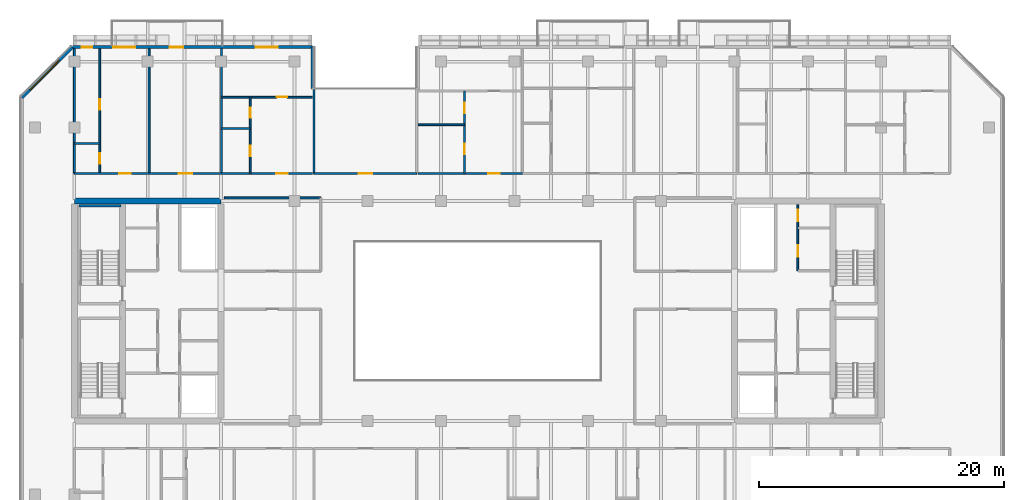
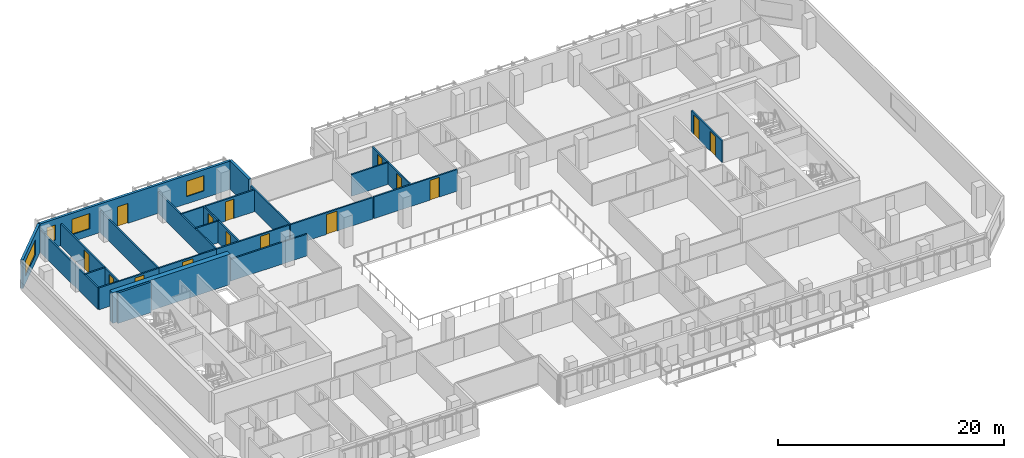
# One storey, part 12 of 20: 23 walls, 15 doors, 4 windows, 19 openings.
"""IFC4 building model written with IfcOpenShell, lengths in metres."""

import ifcopenshell
import ifcopenshell.guid

model = None  # the IFC model being written
_history = None  # IfcOwnerHistory: only IFC2X3 demands one
_inside = {}  # id of a spatial element -> (the spatial element, [elements in it])
_under = {}  # id of a project, library or spatial element -> (it, [spatial elements below it])
_declared = {}  # id of a project -> (the project, [libraries it declares])
_typed = {}  # id of a type object -> (the type object, [elements of that type])
_made_of = {}  # id of a material, layer set ... -> (it, [elements and type objects made of it])


def new_model(schema):
    """Start an empty IFC model of exactly this schema.

    Asked for "IFC4X3", IfcOpenShell would pick the latest addendum, in which some entities
    have other attributes; the version numbers below select the first issue.
    IFC2X3 requires an IfcOwnerHistory on every rooted entity: one is made here for all.
    """
    global model, _history
    if schema == "IFC4X3":
        model = ifcopenshell.file(schema_version=(4, 3, 0, 0))
    else:
        model = ifcopenshell.file(schema=schema)
    _inside.clear()
    _under.clear()
    _declared.clear()
    _typed.clear()
    _made_of.clear()
    _history = None
    if model.schema == "IFC2X3":
        org = make("IfcOrganization", Name="unknown")
        user = make(
            "IfcPersonAndOrganization",
            ThePerson=make("IfcPerson", FamilyName="unknown"),
            TheOrganization=org,
        )
        app = make(
            "IfcApplication",
            ApplicationDeveloper=org,
            Version="unknown",
            ApplicationFullName="unknown",
            ApplicationIdentifier="unknown",
        )
        _history = make(
            "IfcOwnerHistory",
            OwningUser=user,
            OwningApplication=app,
            ChangeAction="ADDED",
            CreationDate=0,
        )
    return model


def make(cls, **values):
    """One entity of the class cls with the attributes given. An attribute that is None is left unset."""
    return model.create_entity(
        cls, **{name: value for name, value in values.items() if value is not None}
    )


def rooted(cls, **values):
    """An entity with a GlobalId (a new one), such as an element, a storey or a relation."""
    return make(cls, GlobalId=ifcopenshell.guid.new(), OwnerHistory=_history, **values)


def si_unit(unit_type, name, prefix=None):
    """IfcSIUnit, for example si_unit("LENGTHUNIT", "METRE", prefix="MILLI")."""
    return make("IfcSIUnit", UnitType=unit_type, Prefix=prefix, Name=name)


def assignment(units):
    """IfcUnitAssignment: the units of a project."""
    return None if units is None else make("IfcUnitAssignment", Units=units)


def point(xyz):
    """IfcCartesianPoint."""
    return None if xyz is None else make("IfcCartesianPoint", Coordinates=xyz)


def direction(xyz):
    """IfcDirection."""
    return None if xyz is None else make("IfcDirection", DirectionRatios=xyz)


def frame(location, z_axis=None, x_axis=None):
    """IfcAxis2Placement3D, a coordinate frame: its origin and axes. An axis left out is left unset."""
    return make(
        "IfcAxis2Placement3D",
        Location=point(location),
        Axis=direction(z_axis),
        RefDirection=direction(x_axis),
    )


def frame_2d(location, x_axis=None):
    """IfcAxis2Placement2D, a coordinate frame in the plane: its origin and x axis."""
    return make(
        "IfcAxis2Placement2D", Location=point(location), RefDirection=direction(x_axis)
    )


def origin():
    """The frame at (0, 0, 0) with its axes left unset."""
    return frame((0.0, 0.0, 0.0))


def place(relative_to, where):
    """IfcLocalPlacement: puts the frame where relative to a parent placement (None: the world)."""
    return make(
        "IfcLocalPlacement", PlacementRelTo=relative_to, RelativePlacement=where
    )


def context(
    kind, dimensions, precision=None, world=None, true_north=None, identifier=None
):
    """IfcGeometricRepresentationContext, for example the 3D "Model" context."""
    return make(
        "IfcGeometricRepresentationContext",
        ContextIdentifier=identifier,
        ContextType=kind,
        CoordinateSpaceDimension=dimensions,
        Precision=precision,
        WorldCoordinateSystem=world,
        TrueNorth=true_north,
    )


def subcontext(parent, identifier, kind, view, scale=None):
    """IfcGeometricRepresentationSubContext, for example "Body" below "Model"."""
    return make(
        "IfcGeometricRepresentationSubContext",
        ContextIdentifier=identifier,
        ContextType=kind,
        ParentContext=parent,
        TargetScale=scale,
        TargetView=view,
    )


def project(units=None, contexts=None):
    """IfcProject with its units and contexts."""
    return rooted(
        "IfcProject",
        Name="project",
        RepresentationContexts=contexts,
        UnitsInContext=assignment(units),
    )


def spatial(cls, under=None, at=None, **own):
    """A site, building, storey or space (cls), placed at a placement, below another one or the project."""
    s = rooted(cls, ObjectPlacement=at, **own)
    if under is not None:
        _under.setdefault(under.id(), (under, []))[1].append(s)
    return s


def profile(cls, at=None, kind="AREA", **sizes):
    """A parametric profile (cls). Its sizes go by their IFC names, for example OverallWidth=200.0."""
    return make(cls, ProfileType=kind, Position=at, **sizes)


def rectangle(**sizes):
    """IfcRectangleProfileDef."""
    return profile("IfcRectangleProfileDef", **sizes)


def extrude(swept, where, along, depth):
    """IfcExtrudedAreaSolid: the profile swept, set in the frame where, extruded along a direction by depth."""
    return make(
        "IfcExtrudedAreaSolid",
        SweptArea=swept,
        Position=where,
        ExtrudedDirection=direction(along),
        Depth=depth,
    )


def shape(context_of_items, identifier, shape_type, items):
    """IfcShapeRepresentation: the items that make up one representation, for example the "Body"."""
    return make(
        "IfcShapeRepresentation",
        ContextOfItems=context_of_items,
        RepresentationIdentifier=identifier,
        RepresentationType=shape_type,
        Items=items,
    )


def material(Name=None, Category=None):
    """IfcMaterial."""
    return make("IfcMaterial", Name=Name, Category=Category)


def layer(
    of_material, thickness, ventilated=None, Name=None, Category=None, Priority=None
):
    """IfcMaterialLayer: one layer of a wall or slab, of a material (None: an air gap)."""
    return make(
        "IfcMaterialLayer",
        Material=of_material,
        LayerThickness=thickness,
        IsVentilated=ventilated,
        Name=Name,
        Category=Category,
        Priority=Priority,
    )


def layer_set(layers, Name=None):
    """IfcMaterialLayerSet."""
    return make("IfcMaterialLayerSet", MaterialLayers=layers, LayerSetName=Name)


def made_of(thing, what):
    """Note that an element or type object is made of a material, layer set ...; save() writes the relation."""
    if what is not None:
        _made_of.setdefault(what.id(), (what, []))[1].append(thing)
    return thing


def type_object(cls, material=None, **own):
    """A type object (cls), such as IfcWallType, which elements share."""
    return made_of(rooted(cls, **own), material)


def element(
    cls,
    number,
    at=None,
    inside=None,
    cuts=None,
    type_object=None,
    material=None,
    context=None,
    identifier="Body",
    shape_type=None,
    held_by="IfcProductDefinitionShape",
    body=None,
    shapes=None,
    **own,
):
    """One element of the class cls, such as IfcWall. Its Tag is "e" and its number.

    at: its placement. inside: the storey or other place that contains it. cuts: it is an
    opening in that element (IfcRelVoidsElement). A single representation is given by context,
    identifier, shape_type and body (its items); several are given by shapes. held_by: the class
    of the entity that holds the representations. save() writes the other relations.
    """
    e = rooted(cls, Tag="e%d" % number, ObjectPlacement=at, **own)
    if body is not None:
        shapes = [shape(context, identifier, shape_type, body)]
    if shapes is not None:
        e.Representation = make(held_by, Representations=shapes)
    if inside is not None:
        _inside.setdefault(inside.id(), (inside, []))[1].append(e)
    if cuts is not None:
        rooted(
            "IfcRelVoidsElement", RelatingBuildingElement=cuts, RelatedOpeningElement=e
        )
    if type_object is not None:
        _typed.setdefault(type_object.id(), (type_object, []))[1].append(e)
    return made_of(e, material)


def fill(opening, filler):
    """IfcRelFillsElement: the door or window that sits in an opening."""
    return rooted(
        "IfcRelFillsElement",
        RelatingOpeningElement=opening,
        RelatedBuildingElement=filler,
    )


def aggregate(whole, parts):
    """IfcRelAggregates: a whole, such as a stair, and the parts it consists of."""
    return rooted("IfcRelAggregates", RelatingObject=whole, RelatedObjects=parts)


def save(model, path):
    """Write the relations noted so far, then the file.

    IfcRelAggregates (storeys below a building ...), IfcRelContainedInSpatialStructure (elements
    in a storey), IfcRelDefinesByType, IfcRelAssociatesMaterial and IfcRelDeclares: one each for
    every whole, place, type object, material and project.
    """
    for whole, parts in _under.values():
        aggregate(whole, parts)
    for where, things in _inside.values():
        rooted(
            "IfcRelContainedInSpatialStructure",
            RelatedElements=things,
            RelatingStructure=where,
        )
    for kind, things in _typed.values():
        rooted("IfcRelDefinesByType", RelatedObjects=things, RelatingType=kind)
    for what, things in _made_of.values():
        rooted("IfcRelAssociatesMaterial", RelatedObjects=things, RelatingMaterial=what)
    for by, libraries in _declared.values():
        rooted("IfcRelDeclares", RelatingContext=by, RelatedDefinitions=libraries)
    model.write(path)


model = new_model("IFC4")

# Units and contexts
model_context = context("Model", 3, precision=1e-05, world=origin(), true_north=direction((0.0, 1.0)))
body_context = subcontext(model_context, "Body", "Model", "MODEL_VIEW")
ifc_project = project(units=[si_unit("LENGTHUNIT", "METRE"), si_unit("AREAUNIT", "SQUARE_METRE"), si_unit("VOLUMEUNIT", "CUBIC_METRE"), si_unit("PLANEANGLEUNIT", "RADIAN"), si_unit("MASSUNIT", "GRAM", prefix="KILO")], contexts=[model_context])

# Site, building, storey
site_placement = place(None, origin())
site = spatial("IfcSite", under=ifc_project, at=site_placement, CompositionType="ELEMENT")
building_placement = place(site_placement, origin())
building = spatial("IfcBuilding", under=site, at=building_placement, Name="Tanjung Sevakor Pilgrim Tower", CompositionType="ELEMENT")
storey_placement = place(building_placement, frame((0.0, 0.0, 141.89990234375)))
storey = spatial("IfcBuildingStorey", under=building, at=storey_placement, Name="L39", CompositionType="ELEMENT", Elevation=141.89990234375)

# Wall
ifc_material_1 = material(Name="Concrete C60/75", Category="concrete")
ifc_layer_1 = layer(ifc_material_1, 0.5)
ifc_layer_set_1 = layer_set([ifc_layer_1], Name="WALL-CW-500")
wall_type_1 = type_object("IfcWallType", Name="WALL-CW-500", PredefinedType="SHEAR", material=ifc_layer_set_1)
wall_1_placement = place(storey_placement, frame((36.0, 42.60009765625, 0.0), z_axis=(0.0, 0.0, 1.0), x_axis=(-1.0, 0.0, 0.0)))
element("IfcWall", 1, at=wall_1_placement, inside=storey, type_object=wall_type_1, Name="L39 W Core North Shear Wall", PredefinedType="SHEAR", context=body_context, shape_type="SweptSolid", body=[
    extrude(rectangle(XDim=12.0, YDim=0.5, at=frame_2d((6.0, 0.0))), origin(), (0.0, 0.0, 1.0), 3.300048828125),
])

# Wall, openings, doors
ifc_material_2 = material(Name="Concrete C40/50", Category="concrete")
ifc_layer_2 = layer(ifc_material_2, 0.14990234375)
ifc_layer_set_2 = layer_set([ifc_layer_2], Name="WT-COMP-150")
wall_type_2 = type_object("IfcWallType", Name="WT-COMP-150", PredefinedType="SOLIDWALL", material=ifc_layer_set_2)
wall_2_placement = place(storey_placement, frame((83.179931640625, 36.8798828125, 0.0), z_axis=(0.0, 0.0, 1.0), x_axis=(0.0, 1.0, 0.0)))
wall_2 = element("IfcWall", 2, at=wall_2_placement, inside=storey, type_object=wall_type_2, Name="L39 Partition IW-L39-024", PredefinedType="SOLIDWALL", context=body_context, shape_type="SweptSolid", body=[
    extrude(rectangle(XDim=5.420166015625, YDim=0.14990234375, at=frame_2d((2.7099609375, 0.0))), origin(), (0.0, 0.0, 1.0), 2.35009765625),
])
opening_1_placement = place(wall_2_placement, frame((1.14990234375, 0.0, 0.0)))
opening_1 = element("IfcOpeningElement", 3, at=opening_1_placement, cuts=wall_2, Name="Opening ID-FD2", PredefinedType="OPENING", context=body_context, shape_type="SweptSolid", body=[
    extrude(rectangle(XDim=0.949951171875, YDim=2.14990234375, at=frame_2d((0.47509765625, 1.074951171875))), frame((0.0, 0.0849609375, 0.0), z_axis=(0.0, -1.0, 0.0), x_axis=(1.0, 0.0, 0.0)), (0.0, 0.0, 1.0), 0.169921875),
])
opening_2_placement = place(wall_2_placement, frame((4.050048828125, 0.0, 0.0)))
opening_2 = element("IfcOpeningElement", 4, at=opening_2_placement, cuts=wall_2, Name="Opening ID-FD2", PredefinedType="OPENING", context=body_context, shape_type="SweptSolid", body=[
    extrude(rectangle(XDim=0.949951171875, YDim=2.14990234375, at=frame_2d((0.47509765625, 1.074951171875))), frame((0.0, 0.0849609375, 0.0), z_axis=(0.0, -1.0, 0.0), x_axis=(1.0, 0.0, 0.0)), (0.0, 0.0, 1.0), 0.169921875),
])
ifc_material_3 = material(Name="Fire-Rated Timber", Category="wood")
door_type_1 = type_object("IfcDoorType", Name="DT-FIRE-950", OperationType="NOTDEFINED", PredefinedType="DOOR", material=ifc_material_3)
door_1_placement = place(opening_1_placement, origin())
door_1 = element("IfcDoor", 5, at=door_1_placement, inside=storey, type_object=door_type_1, Name="L39 Core Study Room Door", OperationType="SINGLE_SWING_RIGHT", OverallHeight=2.14990234375, OverallWidth=0.949951171875, PredefinedType="DOOR", context=body_context, shape_type="SweptSolid", body=[
    extrude(rectangle(XDim=0.949951171875, YDim=2.14990234375, at=frame_2d((0.47509765625, 1.074951171875))), frame((0.0, 0.02490234375, 0.0), z_axis=(0.0, -1.0, 0.0), x_axis=(1.0, 0.0, 0.0)), (0.0, 0.0, 1.0), 0.050048828125),
])
fill(opening_1, door_1)
door_2_placement = place(opening_2_placement, origin())
door_2 = element("IfcDoor", 6, at=door_2_placement, inside=storey, type_object=door_type_1, Name="L39 Service Store Door", OperationType="SINGLE_SWING_LEFT", OverallHeight=2.14990234375, OverallWidth=0.949951171875, PredefinedType="DOOR", context=body_context, shape_type="SweptSolid", body=[
    extrude(rectangle(XDim=0.949951171875, YDim=2.14990234375, at=frame_2d((0.47509765625, 1.074951171875))), frame((0.0, 0.02490234375, 0.0), z_axis=(0.0, -1.0, 0.0), x_axis=(1.0, 0.0, 0.0)), (0.0, 0.0, 1.0), 0.050048828125),
])
fill(opening_2, door_2)

# Wall
wall_3_placement = place(storey_placement, frame((36.27001953125, 42.85009765625, 0.0), z_axis=(0.0, 0.0, 1.0), x_axis=(1.0, 0.0, 0.0)))
element("IfcWall", 7, at=wall_3_placement, inside=storey, type_object=wall_type_2, Name="L39 Partition IW-L39-031", PredefinedType="SOLIDWALL", context=body_context, shape_type="SweptSolid", body=[
    extrude(rectangle(XDim=7.8798828125, YDim=0.14990234375, at=frame_2d((3.93994140625, 0.0))), origin(), (0.0, 0.0, 1.0), 2.35009765625),
])

# Wall, opening, door
wall_4_placement = place(storey_placement, frame((43.60009765625, 44.85009765625, 0.0), z_axis=(0.0, 0.0, 1.0), x_axis=(1.0, 0.0, 0.0)))
wall_4 = element("IfcWall", 8, at=wall_4_placement, inside=storey, type_object=wall_type_2, Name="L39 Partition IW-L39-042", PredefinedType="SOLIDWALL", context=body_context, shape_type="SweptSolid", body=[
    extrude(rectangle(XDim=8.39990234375, YDim=0.14990234375, at=frame_2d((4.199951171875, 0.0))), origin(), (0.0, 0.0, 1.0), 2.35009765625),
])
opening_3_placement = place(wall_4_placement, frame((3.64990234375, 0.0, 0.0)))
opening_3 = element("IfcOpeningElement", 9, at=opening_3_placement, cuts=wall_4, Name="Opening ID-RM2", PredefinedType="OPENING", context=body_context, shape_type="SweptSolid", body=[
    extrude(rectangle(XDim=1.10009765625, YDim=2.14990234375, at=frame_2d((0.550048828125, 1.074951171875))), frame((0.0, 0.0849609375, 0.0), z_axis=(0.0, -1.0, 0.0), x_axis=(1.0, 0.0, 0.0)), (0.0, 0.0, 1.0), 0.169921875),
])
ifc_material_4 = material(Name="Hardwood Timber", Category="wood")
door_type_2 = type_object("IfcDoorType", Name="DT-INT-1100", OperationType="NOTDEFINED", PredefinedType="DOOR", material=ifc_material_4)
door_3_placement = place(opening_3_placement, origin())
door_3 = element("IfcDoor", 10, at=door_3_placement, inside=storey, type_object=door_type_2, Name="L39 North Cleft Seminar Room Door", OperationType="SINGLE_SWING_LEFT", OverallHeight=2.14990234375, OverallWidth=1.10009765625, PredefinedType="DOOR", context=body_context, shape_type="SweptSolid", body=[
    extrude(rectangle(XDim=1.10009765625, YDim=2.14990234375, at=frame_2d((0.550048828125, 1.074951171875))), frame((0.0, 0.02490234375, 0.0), z_axis=(0.0, -1.0, 0.0), x_axis=(1.0, 0.0, 0.0)), (0.0, 0.0, 1.0), 0.050048828125),
])
fill(opening_3, door_3)

# Walls
for number, where, z_axis, x_axis, name in (
    (11, (43.60009765625, 44.85009765625, 0.0), (0.0, 0.0, 1.0), (0.0, 1.0, 0.0), "L39 Partition IW-L39-043"),
    (12, (24.0, 44.85009765625, 0.0), (0.0, 0.0, 1.0), (0.0, 1.0, 0.0), "L39 Partition IW-L39-075"),
    (13, (30.119384765625, 44.85009765625, 0.0), (0.0, 0.0, 1.0), (0.0, 1.0, 0.0), "L39 Partition IW-L39-076"),
):
    element("IfcWall", number, at=place(storey_placement, frame(where, z_axis=z_axis, x_axis=x_axis)), inside=storey, type_object=wall_type_2, Name=name, PredefinedType="SOLIDWALL", context=body_context, shape_type="SweptSolid", body=[
        extrude(rectangle(XDim=10.199951171875, YDim=0.14990234375, at=frame_2d((5.10009765625, 0.0))), origin(), (0.0, 0.0, 1.0), 2.35009765625),
    ])

# Wall, opening, door
wall_5_placement = place(storey_placement, frame((24.0, 44.85009765625, 0.0), z_axis=(0.0, 0.0, 1.0), x_axis=(1.0, 0.0, 0.0)))
wall_5 = element("IfcWall", 14, at=wall_5_placement, inside=storey, type_object=wall_type_2, Name="L39 Partition IW-L39-079", PredefinedType="SOLIDWALL", context=body_context, shape_type="SweptSolid", body=[
    extrude(rectangle(XDim=6.119384765625, YDim=0.14990234375, at=frame_2d((3.0595703125, 0.0))), origin(), (0.0, 0.0, 1.0), 2.35009765625),
])
opening_4_placement = place(wall_5_placement, frame((3.6650390625, 0.0, 0.0)))
opening_4 = element("IfcOpeningElement", 15, at=opening_4_placement, cuts=wall_5, Name="Opening ID-FD2", PredefinedType="OPENING", context=body_context, shape_type="SweptSolid", body=[
    extrude(rectangle(XDim=0.949951171875, YDim=2.14990234375, at=frame_2d((0.47509765625, 1.074951171875))), frame((0.0, 0.0849609375, 0.0), z_axis=(0.0, -1.0, 0.0), x_axis=(1.0, 0.0, 0.0)), (0.0, 0.0, 1.0), 0.169921875),
])
door_4_placement = place(opening_4_placement, origin())
door_4 = element("IfcDoor", 16, at=door_4_placement, inside=storey, type_object=door_type_1, Name="Hotel Guestroom Entrance", OperationType="SINGLE_SWING_RIGHT", OverallHeight=2.14990234375, OverallWidth=0.949951171875, PredefinedType="DOOR", context=body_context, shape_type="SweptSolid", body=[
    extrude(rectangle(XDim=0.949951171875, YDim=2.14990234375, at=frame_2d((0.47509765625, 1.074951171875))), frame((0.0, 0.02490234375, 0.0), z_axis=(0.0, -1.0, 0.0), x_axis=(1.0, 0.0, 0.0)), (0.0, 0.0, 1.0), 0.050048828125),
])
fill(opening_4, door_4)

# Wall
wall_6_placement = place(storey_placement, frame((36.034912109375, 44.85009765625, 0.0), z_axis=(0.0, 0.0, 1.0), x_axis=(0.0, 1.0, 0.0)))
element("IfcWall", 17, at=wall_6_placement, inside=storey, type_object=wall_type_2, Name="L39 Partition IW-L39-080", PredefinedType="SOLIDWALL", context=body_context, shape_type="SweptSolid", body=[
    extrude(rectangle(XDim=10.199951171875, YDim=0.14990234375, at=frame_2d((5.10009765625, 0.0))), origin(), (0.0, 0.0, 1.0), 2.35009765625),
])

# Wall, opening, door
wall_7_placement = place(storey_placement, frame((30.119384765625, 44.85009765625, 0.0), z_axis=(0.0, 0.0, 1.0), x_axis=(1.0, 0.0, 0.0)))
wall_7 = element("IfcWall", 18, at=wall_7_placement, inside=storey, type_object=wall_type_2, Name="L39 Partition IW-L39-081", PredefinedType="SOLIDWALL", context=body_context, shape_type="SweptSolid", body=[
    extrude(rectangle(XDim=5.91552734375, YDim=0.14990234375, at=frame_2d((2.957763671875, 0.0))), origin(), (0.0, 0.0, 1.0), 2.35009765625),
])
opening_5_placement = place(wall_7_placement, frame((2.40771484375, 0.0, 0.0)))
opening_5 = element("IfcOpeningElement", 19, at=opening_5_placement, cuts=wall_7, Name="Opening ID-FD0", PredefinedType="OPENING", context=body_context, shape_type="SweptSolid", body=[
    extrude(rectangle(XDim=1.10009765625, YDim=2.14990234375, at=frame_2d((0.550048828125, 1.074951171875))), frame((0.0, 0.0849609375, 0.0), z_axis=(0.0, -1.0, 0.0), x_axis=(1.0, 0.0, 0.0)), (0.0, 0.0, 1.0), 0.169921875),
])
ifc_material_5 = material(Name="Fire-Rated Steel S355J2", Category="steel")
door_type_3 = type_object("IfcDoorType", Name="DT-FIRE-1100", OperationType="NOTDEFINED", PredefinedType="DOOR", material=ifc_material_5)
door_5_placement = place(opening_5_placement, origin())
door_5 = element("IfcDoor", 20, at=door_5_placement, inside=storey, type_object=door_type_3, Name="Seminar Room Door", OperationType="SINGLE_SWING_LEFT", OverallHeight=2.14990234375, OverallWidth=1.10009765625, PredefinedType="DOOR", context=body_context, shape_type="SweptSolid", body=[
    extrude(rectangle(XDim=1.10009765625, YDim=2.14990234375, at=frame_2d((0.550048828125, 1.074951171875))), frame((0.0, 0.02490234375, 0.0), z_axis=(0.0, -1.0, 0.0), x_axis=(1.0, 0.0, 0.0)), (0.0, 0.0, 1.0), 0.050048828125),
])
fill(opening_5, door_5)

wall_8_placement = place(storey_placement, frame((36.034912109375, 44.85009765625, 0.0), z_axis=(0.0, 0.0, 1.0), x_axis=(1.0, 0.0, 0.0)))
wall_8 = element("IfcWall", 21, at=wall_8_placement, inside=storey, type_object=wall_type_2, Name="L39 Partition IW-L39-085", PredefinedType="SOLIDWALL", context=body_context, shape_type="SweptSolid", body=[
    extrude(rectangle(XDim=7.445068359375, YDim=0.14990234375, at=frame_2d((3.72265625, 0.0))), origin(), (0.0, 0.0, 1.0), 2.35009765625),
])
opening_6_placement = place(wall_8_placement, frame((4.462646484375, 0.0, 0.0)))
opening_6 = element("IfcOpeningElement", 22, at=opening_6_placement, cuts=wall_8, Name="Opening ID-FD2", PredefinedType="OPENING", context=body_context, shape_type="SweptSolid", body=[
    extrude(rectangle(XDim=0.949951171875, YDim=2.14990234375, at=frame_2d((0.47509765625, 1.074951171875))), frame((0.0, 0.0849609375, 0.0), z_axis=(0.0, -1.0, 0.0), x_axis=(1.0, 0.0, 0.0)), (0.0, 0.0, 1.0), 0.169921875),
])
door_6_placement = place(opening_6_placement, origin())
door_6 = element("IfcDoor", 23, at=door_6_placement, inside=storey, type_object=door_type_1, Name="Residence Entrance", OperationType="SINGLE_SWING_LEFT", OverallHeight=2.14990234375, OverallWidth=0.949951171875, PredefinedType="DOOR", context=body_context, shape_type="SweptSolid", body=[
    extrude(rectangle(XDim=0.949951171875, YDim=2.14990234375, at=frame_2d((0.47509765625, 1.074951171875))), frame((0.0, 0.02490234375, 0.0), z_axis=(0.0, -1.0, 0.0), x_axis=(1.0, 0.0, 0.0)), (0.0, 0.0, 1.0), 0.050048828125),
])
fill(opening_6, door_6)

wall_9_placement = place(storey_placement, frame((52.1201171875, 44.85009765625, 0.0), z_axis=(0.0, 0.0, 1.0), x_axis=(1.0, 0.0, 0.0)))
wall_9 = element("IfcWall", 24, at=wall_9_placement, inside=storey, type_object=wall_type_2, Name="L39 Partition IW-L39-091", PredefinedType="SOLIDWALL", context=body_context, shape_type="SweptSolid", body=[
    extrude(rectangle(XDim=8.51953125, YDim=0.14990234375, at=frame_2d((4.259765625, 0.0))), origin(), (0.0, 0.0, 1.0), 2.35009765625),
])
opening_7_placement = place(wall_9_placement, frame((5.724853515625, 0.0, 0.0)))
opening_7 = element("IfcOpeningElement", 25, at=opening_7_placement, cuts=wall_9, Name="Opening ID-FD2", PredefinedType="OPENING", context=body_context, shape_type="SweptSolid", body=[
    extrude(rectangle(XDim=0.949951171875, YDim=2.14990234375, at=frame_2d((0.47509765625, 1.074951171875))), frame((0.0, 0.0849609375, 0.0), z_axis=(0.0, -1.0, 0.0), x_axis=(1.0, 0.0, 0.0)), (0.0, 0.0, 1.0), 0.169921875),
])
door_7_placement = place(opening_7_placement, origin())
door_7 = element("IfcDoor", 26, at=door_7_placement, inside=storey, type_object=door_type_1, Name="Residence Entrance", OperationType="SINGLE_SWING_LEFT", OverallHeight=2.14990234375, OverallWidth=0.949951171875, PredefinedType="DOOR", context=body_context, shape_type="SweptSolid", body=[
    extrude(rectangle(XDim=0.949951171875, YDim=2.14990234375, at=frame_2d((0.47509765625, 1.074951171875))), frame((0.0, 0.02490234375, 0.0), z_axis=(0.0, -1.0, 0.0), x_axis=(1.0, 0.0, 0.0)), (0.0, 0.0, 1.0), 0.050048828125),
])
fill(opening_7, door_7)

# Wall
ifc_material_6 = material(Name="Precast concrete C45/55", Category="concrete")
ifc_layer_3 = layer(ifc_material_6, 0.25)
ifc_layer_set_3 = layer_set([ifc_layer_3], Name="WT-EW-STN3")
wall_type_3 = type_object("IfcWallType", Name="WT-EW-STN3", PredefinedType="SOLIDWALL", material=ifc_layer_set_3)
wall_10_placement = place(storey_placement, frame((43.47509765625, 51.77490234375, 0.0), z_axis=(0.0, 0.0, 1.0), x_axis=(0.0, 1.0, 0.0)))
element("IfcWall", 27, at=wall_10_placement, inside=storey, type_object=wall_type_3, Name="L39 MAIN Exterior Wall 12", PredefinedType="SOLIDWALL", context=body_context, shape_type="SweptSolid", body=[
    extrude(rectangle(XDim=3.400146484375, YDim=0.25, at=frame_2d((1.7001953125, 0.0))), origin(), (0.0, 0.0, 1.0), 3.080078125),
])

# Wall, openings, door, windows
wall_11_placement = place(storey_placement, frame((43.47509765625, 55.175048828125, 0.0), z_axis=(0.0, 0.0, 1.0), x_axis=(-1.0, 0.0, 0.0)))
wall_11 = element("IfcWall", 28, at=wall_11_placement, inside=storey, type_object=wall_type_3, Name="L39 MAIN Exterior Wall 13", PredefinedType="SOLIDWALL", context=body_context, shape_type="SweptSolid", body=[
    extrude(rectangle(XDim=19.623291015625, YDim=0.25, at=frame_2d((9.8115234375, 0.0))), origin(), (0.0, 0.0, 1.0), 3.080078125),
])
opening_8_placement = place(wall_11_placement, frame((10.574951171875, 0.0, 0.0)))
opening_8 = element("IfcOpeningElement", 29, at=opening_8_placement, cuts=wall_11, Name="Opening ED-BAL-1100", PredefinedType="OPENING", context=body_context, shape_type="SweptSolid", body=[
    extrude(rectangle(XDim=1.10009765625, YDim=2.14990234375, at=frame_2d((0.550048828125, 1.074951171875))), frame((0.0, 0.135009765625, 0.0), z_axis=(0.0, -1.0, 0.0), x_axis=(1.0, 0.0, 0.0)), (0.0, 0.0, 1.0), 0.27001953125),
])
opening_9_placement = place(wall_11_placement, frame((17.999755859375, 0.0, 0.780029296875)))
opening_9 = element("IfcOpeningElement", 30, at=opening_9_placement, cuts=wall_11, Name="Opening WN-SLM", PredefinedType="OPENING", context=body_context, shape_type="SweptSolid", body=[
    extrude(rectangle(XDim=0.85009765625, YDim=1.64990234375, at=frame_2d((0.425048828125, 0.824951171875))), frame((0.0, 0.135009765625, 0.0), z_axis=(0.0, -1.0, 0.0), x_axis=(1.0, 0.0, 0.0)), (0.0, 0.0, 1.0), 0.27001953125),
])
opening_10_placement = place(wall_11_placement, frame((14.485107421875, 0.0, 0.780029296875)))
opening_10 = element("IfcOpeningElement", 31, at=opening_10_placement, cuts=wall_11, Name="Opening WN-Z3-1660", PredefinedType="OPENING", context=body_context, shape_type="SweptSolid", body=[
    extrude(rectangle(XDim=1.800048828125, YDim=1.659912109375, at=frame_2d((0.89990234375, 0.830078125))), frame((0.0, 0.135009765625, 0.0), z_axis=(0.0, -1.0, 0.0), x_axis=(1.0, 0.0, 0.0)), (0.0, 0.0, 1.0), 0.27001953125),
])
opening_11_placement = place(wall_11_placement, frame((2.817626953125, 0.0, 0.780029296875)))
opening_11 = element("IfcOpeningElement", 32, at=opening_11_placement, cuts=wall_11, Name="Opening WN-Z3-1660", PredefinedType="OPENING", context=body_context, shape_type="SweptSolid", body=[
    extrude(rectangle(XDim=1.800048828125, YDim=1.659912109375, at=frame_2d((0.89990234375, 0.830078125))), frame((0.0, 0.135009765625, 0.0), z_axis=(0.0, -1.0, 0.0), x_axis=(1.0, 0.0, 0.0)), (0.0, 0.0, 1.0), 0.27001953125),
])
ifc_material_7 = material(Name="Anodised Aluminium and Laminated Glass", Category="aluminium")
door_type_4 = type_object("IfcDoorType", Name="DTYP-ED-BAL-1100", OperationType="NOTDEFINED", PredefinedType="DOOR", material=ifc_material_7)
door_8_placement = place(opening_8_placement, frame((1.10009765625, 0.0, 0.0), z_axis=(0.0, 0.0, 1.0), x_axis=(-1.0, 0.0, 0.0)))
door_8 = element("IfcDoor", 33, at=door_8_placement, inside=storey, type_object=door_type_4, Name="L39 Balcony Door MAIN-N1", OperationType="SINGLE_SWING_LEFT", OverallHeight=2.14990234375, OverallWidth=1.10009765625, PredefinedType="DOOR", context=body_context, shape_type="SweptSolid", body=[
    extrude(rectangle(XDim=1.10009765625, YDim=2.14990234375, at=frame_2d((0.550048828125, 1.074951171875))), frame((0.0, 0.02490234375, 0.0), z_axis=(0.0, -1.0, 0.0), x_axis=(1.0, 0.0, 0.0)), (0.0, 0.0, 1.0), 0.050048828125),
])
fill(opening_8, door_8)
ifc_material_8 = material(Name="Thermally Broken Aluminium and Low-E Glass", Category="aluminium")
window_type_1 = type_object("IfcWindowType", Name="WTYP-WN-SLM", PartitioningType="SINGLE_PANEL", PredefinedType="WINDOW", material=ifc_material_8)
window_1_placement = place(opening_9_placement, origin())
window_1 = element("IfcWindow", 34, at=window_1_placement, inside=storey, type_object=window_type_1, Name="L39 Facade Window 01", OverallHeight=1.64990234375, OverallWidth=0.85009765625, PartitioningType="SINGLE_PANEL", PredefinedType="WINDOW", context=body_context, shape_type="SweptSolid", body=[
    extrude(rectangle(XDim=0.85009765625, YDim=1.64990234375, at=frame_2d((0.425048828125, 0.824951171875))), frame((0.0, 0.030029296875, 0.0), z_axis=(0.0, -1.0, 0.0), x_axis=(1.0, 0.0, 0.0)), (0.0, 0.0, 1.0), 0.06005859375),
])
fill(opening_9, window_1)
ifc_material_9 = material(Name="Thermally Broken Aluminium and Low-E Glass", Category="aluminium")
window_type_2 = type_object("IfcWindowType", Name="WTYP-WN-Z3-1660", PartitioningType="DOUBLE_PANEL_VERTICAL", PredefinedType="WINDOW", material=ifc_material_9)
window_2_placement = place(opening_10_placement, origin())
window_2 = element("IfcWindow", 35, at=window_2_placement, inside=storey, type_object=window_type_2, Name="L39 Facade Window 02", OverallHeight=1.659912109375, OverallWidth=1.800048828125, PartitioningType="SINGLE_PANEL", PredefinedType="WINDOW", context=body_context, shape_type="SweptSolid", body=[
    extrude(rectangle(XDim=1.800048828125, YDim=1.659912109375, at=frame_2d((0.89990234375, 0.830078125))), frame((0.0, 0.030029296875, 0.0), z_axis=(0.0, -1.0, 0.0), x_axis=(1.0, 0.0, 0.0)), (0.0, 0.0, 1.0), 0.06005859375),
])
fill(opening_10, window_2)
window_3_placement = place(opening_11_placement, origin())
window_3 = element("IfcWindow", 36, at=window_3_placement, inside=storey, type_object=window_type_2, Name="L39 Facade Window 03", OverallHeight=1.659912109375, OverallWidth=1.800048828125, PartitioningType="SINGLE_PANEL", PredefinedType="WINDOW", context=body_context, shape_type="SweptSolid", body=[
    extrude(rectangle(XDim=1.800048828125, YDim=1.659912109375, at=frame_2d((0.89990234375, 0.830078125))), frame((0.0, 0.030029296875, 0.0), z_axis=(0.0, -1.0, 0.0), x_axis=(1.0, 0.0, 0.0)), (0.0, 0.0, 1.0), 0.06005859375),
])
fill(opening_11, window_3)

# Wall, opening, window
wall_12_placement = place(storey_placement, frame((23.851806640625, 55.175048828125, 0.0), z_axis=(0.0, 0.0, 1.0), x_axis=(-0.70708586489, -0.707127696864, 0.0)))
wall_12 = element("IfcWall", 37, at=wall_12_placement, inside=storey, type_object=wall_type_3, Name="L39 MAIN Sculpted Corner Wall 13", PredefinedType="SOLIDWALL", context=body_context, shape_type="SweptSolid", body=[
    extrude(rectangle(XDim=5.836181640625, YDim=0.25, at=frame_2d((2.91796875, 0.0))), origin(), (0.0, 0.0, 1.0), 3.080078125),
])
opening_12_placement = place(wall_12_placement, frame((1.5380859375, 0.0, 0.780029296875)))
opening_12 = element("IfcOpeningElement", 38, at=opening_12_placement, cuts=wall_12, Name="Opening WN-CHM-1660", PredefinedType="OPENING", context=body_context, shape_type="SweptSolid", body=[
    extrude(rectangle(XDim=3.39990234375, YDim=1.659912109375, at=frame_2d((1.699951171875, 0.830078125))), frame((0.0, 0.135009765625, 0.0), z_axis=(0.0, -1.0, 0.0), x_axis=(1.0, 0.0, 0.0)), (0.0, 0.0, 1.0), 0.27001953125),
])
ifc_material_10 = material(Name="Thermally Broken Aluminium and Low-E Glass", Category="aluminium")
window_type_3 = type_object("IfcWindowType", Name="WTYP-WN-CHM-1660", PartitioningType="DOUBLE_PANEL_VERTICAL", PredefinedType="WINDOW", material=ifc_material_10)
window_4_placement = place(opening_12_placement, origin())
window_4 = element("IfcWindow", 39, at=window_4_placement, inside=storey, type_object=window_type_3, Name="L39 Facade Window 01", OverallHeight=1.659912109375, OverallWidth=3.39990234375, PartitioningType="SINGLE_PANEL", PredefinedType="WINDOW", context=body_context, shape_type="SweptSolid", body=[
    extrude(rectangle(XDim=3.39990234375, YDim=1.659912109375, at=frame_2d((1.699951171875, 0.830078125))), frame((0.0, 0.030029296875, 0.0), z_axis=(0.0, -1.0, 0.0), x_axis=(1.0, 0.0, 0.0)), (0.0, 0.0, 1.0), 0.06005859375),
])
fill(opening_12, window_4)

# Walls
ifc_material_11 = material(Name="Concrete C40/50", Category="concrete")
ifc_layer_4 = layer(ifc_material_11, 0.199951171875)
ifc_layer_set_4 = layer_set([ifc_layer_4], Name="WT-FIRE-200")
wall_type_4 = type_object("IfcWallType", Name="WT-FIRE-200", PredefinedType="SOLIDWALL", material=ifc_layer_set_4)
wall_13_placement = place(storey_placement, frame((27.800048828125, 42.199951171875, 0.0), z_axis=(0.0, 0.0, 1.0), x_axis=(-1.0, 0.0, 0.0)))
element("IfcWall", 40, at=wall_13_placement, inside=storey, type_object=wall_type_4, Name="L39 TS-W2 Shaft Wall 2", PredefinedType="SOLIDWALL", context=body_context, shape_type="SweptSolid", body=[
    extrude(rectangle(XDim=3.400146484375, YDim=0.199951171875, at=frame_2d((1.7001953125, 0.0))), origin(), (0.0, 0.0, 1.0), 3.300048828125),
])
ifc_material_12 = material(Name="Gypsum Board Partition", Category="gypsum board")
ifc_layer_5 = layer(ifc_material_12, 0.14990234375)
ifc_layer_set_5 = layer_set([ifc_layer_5], Name="WT-PART-150")
wall_type_5 = type_object("IfcWallType", Name="WT-PART-150", PredefinedType="PARTITIONING", material=ifc_layer_set_5)
wall_14_placement = place(storey_placement, frame((24.0, 47.300048828125, 0.0), z_axis=(0.0, 0.0, 1.0), x_axis=(1.0, 0.0, 0.0)))
element("IfcWall", 41, at=wall_14_placement, inside=storey, type_object=wall_type_5, Name="L39 Partition IW-L39-077", PredefinedType="PARTITIONING", context=body_context, shape_type="SweptSolid", body=[
    extrude(rectangle(XDim=2.08056640625, YDim=0.14990234375, at=frame_2d((1.040283203125, 0.0))), origin(), (0.0, 0.0, 1.0), 2.35009765625),
])

# Wall, openings, doors
wall_15_placement = place(storey_placement, frame((26.08056640625, 44.85009765625, 0.0), z_axis=(0.0, 0.0, 1.0), x_axis=(0.0, 1.0, 0.0)))
wall_15 = element("IfcWall", 42, at=wall_15_placement, inside=storey, type_object=wall_type_5, Name="L39 Partition IW-L39-078", PredefinedType="PARTITIONING", context=body_context, shape_type="SweptSolid", body=[
    extrude(rectangle(XDim=10.199951171875, YDim=0.14990234375, at=frame_2d((5.10009765625, 0.0))), origin(), (0.0, 0.0, 1.0), 2.35009765625),
])
opening_13_placement = place(wall_15_placement, frame((0.800048828125, 0.0, 0.0)))
opening_13 = element("IfcOpeningElement", 43, at=opening_13_placement, cuts=wall_15, Name="Opening ID-WC1", PredefinedType="OPENING", context=body_context, shape_type="SweptSolid", body=[
    extrude(rectangle(XDim=0.85009765625, YDim=2.10009765625, at=frame_2d((0.425048828125, 1.050048828125))), frame((0.0, 0.0849609375, 0.0), z_axis=(0.0, -1.0, 0.0), x_axis=(1.0, 0.0, 0.0)), (0.0, 0.0, 1.0), 0.169921875),
])
opening_14_placement = place(wall_15_placement, frame((5.2099609375, 0.0, 0.0)))
opening_14 = element("IfcOpeningElement", 44, at=opening_14_placement, cuts=wall_15, Name="Opening ID-WC1", PredefinedType="OPENING", context=body_context, shape_type="SweptSolid", body=[
    extrude(rectangle(XDim=0.85009765625, YDim=2.10009765625, at=frame_2d((0.425048828125, 1.050048828125))), frame((0.0, 0.0849609375, 0.0), z_axis=(0.0, -1.0, 0.0), x_axis=(1.0, 0.0, 0.0)), (0.0, 0.0, 1.0), 0.169921875),
])
ifc_material_13 = material(Name="Moisture-Resistant Timber", Category="wood")
door_type_5 = type_object("IfcDoorType", Name="DT-INT-850", OperationType="NOTDEFINED", PredefinedType="DOOR", material=ifc_material_13)
door_9_placement = place(opening_13_placement, origin())
door_9 = element("IfcDoor", 45, at=door_9_placement, inside=storey, type_object=door_type_5, Name="Bathroom Door", OperationType="SINGLE_SWING_RIGHT", OverallHeight=2.10009765625, OverallWidth=0.85009765625, PredefinedType="DOOR", context=body_context, shape_type="SweptSolid", body=[
    extrude(rectangle(XDim=0.85009765625, YDim=2.10009765625, at=frame_2d((0.425048828125, 1.050048828125))), frame((0.0, 0.02490234375, 0.0), z_axis=(0.0, -1.0, 0.0), x_axis=(1.0, 0.0, 0.0)), (0.0, 0.0, 1.0), 0.050048828125),
])
fill(opening_13, door_9)
door_10_placement = place(opening_14_placement, origin())
door_10 = element("IfcDoor", 46, at=door_10_placement, inside=storey, type_object=door_type_5, Name="Study Nook Door", OperationType="SINGLE_SWING_LEFT", OverallHeight=2.10009765625, OverallWidth=0.85009765625, PredefinedType="DOOR", context=body_context, shape_type="SweptSolid", body=[
    extrude(rectangle(XDim=0.85009765625, YDim=2.10009765625, at=frame_2d((0.425048828125, 1.050048828125))), frame((0.0, 0.02490234375, 0.0), z_axis=(0.0, -1.0, 0.0), x_axis=(1.0, 0.0, 0.0)), (0.0, 0.0, 1.0), 0.050048828125),
])
fill(opening_14, door_10)

# Wall
wall_16_placement = place(storey_placement, frame((36.034912109375, 48.5302734375, 0.0), z_axis=(0.0, 0.0, 1.0), x_axis=(1.0, 0.0, 0.0)))
element("IfcWall", 47, at=wall_16_placement, inside=storey, type_object=wall_type_5, Name="L39 Partition IW-L39-082", PredefinedType="PARTITIONING", context=body_context, shape_type="SweptSolid", body=[
    extrude(rectangle(XDim=2.349853515625, YDim=0.14990234375, at=frame_2d((1.1748046875, 0.0))), origin(), (0.0, 0.0, 1.0), 2.35009765625),
])

# Wall, openings, doors
wall_17_placement = place(storey_placement, frame((38.384765625, 44.85009765625, 0.0), z_axis=(0.0, 0.0, 1.0), x_axis=(0.0, 1.0, 0.0)))
wall_17 = element("IfcWall", 48, at=wall_17_placement, inside=storey, type_object=wall_type_5, Name="L39 Partition IW-L39-083", PredefinedType="PARTITIONING", context=body_context, shape_type="SweptSolid", body=[
    extrude(rectangle(XDim=6.237548828125, YDim=0.14990234375, at=frame_2d((3.11865234375, 0.0))), origin(), (0.0, 0.0, 1.0), 2.35009765625),
])
opening_15_placement = place(wall_17_placement, frame((1.4150390625, 0.0, 0.0)))
opening_15 = element("IfcOpeningElement", 49, at=opening_15_placement, cuts=wall_17, Name="Opening ID-WC1", PredefinedType="OPENING", context=body_context, shape_type="SweptSolid", body=[
    extrude(rectangle(XDim=0.85009765625, YDim=2.10009765625, at=frame_2d((0.425048828125, 1.050048828125))), frame((0.0, 0.0849609375, 0.0), z_axis=(0.0, -1.0, 0.0), x_axis=(1.0, 0.0, 0.0)), (0.0, 0.0, 1.0), 0.169921875),
])
opening_16_placement = place(wall_17_placement, frame((4.533935546875, 0.0, 0.0)))
opening_16 = element("IfcOpeningElement", 50, at=opening_16_placement, cuts=wall_17, Name="Opening ID-WC1", PredefinedType="OPENING", context=body_context, shape_type="SweptSolid", body=[
    extrude(rectangle(XDim=0.85009765625, YDim=2.10009765625, at=frame_2d((0.425048828125, 1.050048828125))), frame((0.0, 0.0849609375, 0.0), z_axis=(0.0, -1.0, 0.0), x_axis=(1.0, 0.0, 0.0)), (0.0, 0.0, 1.0), 0.169921875),
])
door_11_placement = place(opening_15_placement, origin())
door_11 = element("IfcDoor", 51, at=door_11_placement, inside=storey, type_object=door_type_5, Name="Residence Kitchenette Door", OperationType="SINGLE_SWING_RIGHT", OverallHeight=2.10009765625, OverallWidth=0.85009765625, PredefinedType="DOOR", context=body_context, shape_type="SweptSolid", body=[
    extrude(rectangle(XDim=0.85009765625, YDim=2.10009765625, at=frame_2d((0.425048828125, 1.050048828125))), frame((0.0, 0.02490234375, 0.0), z_axis=(0.0, -1.0, 0.0), x_axis=(1.0, 0.0, 0.0)), (0.0, 0.0, 1.0), 0.050048828125),
])
fill(opening_15, door_11)
door_12_placement = place(opening_16_placement, origin())
door_12 = element("IfcDoor", 52, at=door_12_placement, inside=storey, type_object=door_type_5, Name="Residence Bathroom Door", OperationType="SINGLE_SWING_LEFT", OverallHeight=2.10009765625, OverallWidth=0.85009765625, PredefinedType="DOOR", context=body_context, shape_type="SweptSolid", body=[
    extrude(rectangle(XDim=0.85009765625, YDim=2.10009765625, at=frame_2d((0.425048828125, 1.050048828125))), frame((0.0, 0.02490234375, 0.0), z_axis=(0.0, -1.0, 0.0), x_axis=(1.0, 0.0, 0.0)), (0.0, 0.0, 1.0), 0.050048828125),
])
fill(opening_16, door_12)

# Wall, opening, door
wall_18_placement = place(storey_placement, frame((36.034912109375, 51.087646484375, 0.0), z_axis=(0.0, 0.0, 1.0), x_axis=(1.0, 0.0, 0.0)))
wall_18 = element("IfcWall", 53, at=wall_18_placement, inside=storey, type_object=wall_type_5, Name="L39 Partition IW-L39-084", PredefinedType="PARTITIONING", context=body_context, shape_type="SweptSolid", body=[
    extrude(rectangle(XDim=7.445068359375, YDim=0.14990234375, at=frame_2d((3.72265625, 0.0))), origin(), (0.0, 0.0, 1.0), 2.35009765625),
])
opening_17_placement = place(wall_18_placement, frame((4.5126953125, 0.0, 0.0)))
opening_17 = element("IfcOpeningElement", 54, at=opening_17_placement, cuts=wall_18, Name="Opening ID-WC1", PredefinedType="OPENING", context=body_context, shape_type="SweptSolid", body=[
    extrude(rectangle(XDim=0.85009765625, YDim=2.10009765625, at=frame_2d((0.425048828125, 1.050048828125))), frame((0.0, 0.0849609375, 0.0), z_axis=(0.0, -1.0, 0.0), x_axis=(1.0, 0.0, 0.0)), (0.0, 0.0, 1.0), 0.169921875),
])
door_13_placement = place(opening_17_placement, origin())
door_13 = element("IfcDoor", 55, at=door_13_placement, inside=storey, type_object=door_type_5, Name="Residence Bedroom Door", OperationType="SINGLE_SWING_RIGHT", OverallHeight=2.10009765625, OverallWidth=0.85009765625, PredefinedType="DOOR", context=body_context, shape_type="SweptSolid", body=[
    extrude(rectangle(XDim=0.85009765625, YDim=2.10009765625, at=frame_2d((0.425048828125, 1.050048828125))), frame((0.0, 0.02490234375, 0.0), z_axis=(0.0, -1.0, 0.0), x_axis=(1.0, 0.0, 0.0)), (0.0, 0.0, 1.0), 0.050048828125),
])
fill(opening_17, door_13)

# Wall
wall_19_placement = place(storey_placement, frame((52.1201171875, 48.8251953125, 0.0), z_axis=(0.0, 0.0, 1.0), x_axis=(1.0, 0.0, 0.0)))
element("IfcWall", 56, at=wall_19_placement, inside=storey, type_object=wall_type_5, Name="L39 Partition IW-L39-088", PredefinedType="PARTITIONING", context=body_context, shape_type="SweptSolid", body=[
    extrude(rectangle(XDim=3.7998046875, YDim=0.14990234375, at=frame_2d((1.89990234375, 0.0))), origin(), (0.0, 0.0, 1.0), 2.35009765625),
])

# Wall, openings, doors
wall_20_placement = place(storey_placement, frame((55.919921875, 44.85009765625, 0.0), z_axis=(0.0, 0.0, 1.0), x_axis=(0.0, 1.0, 0.0)))
wall_20 = element("IfcWall", 57, at=wall_20_placement, inside=storey, type_object=wall_type_5, Name="L39 Partition IW-L39-089", PredefinedType="PARTITIONING", context=body_context, shape_type="SweptSolid", body=[
    extrude(rectangle(XDim=6.7373046875, YDim=0.14990234375, at=frame_2d((3.36865234375, 0.0))), origin(), (0.0, 0.0, 1.0), 2.35009765625),
])
opening_18_placement = place(wall_20_placement, frame((1.5625, 0.0, 0.0)))
opening_18 = element("IfcOpeningElement", 58, at=opening_18_placement, cuts=wall_20, Name="Opening ID-WC1", PredefinedType="OPENING", context=body_context, shape_type="SweptSolid", body=[
    extrude(rectangle(XDim=0.85009765625, YDim=2.10009765625, at=frame_2d((0.425048828125, 1.050048828125))), frame((0.0, 0.0849609375, 0.0), z_axis=(0.0, -1.0, 0.0), x_axis=(1.0, 0.0, 0.0)), (0.0, 0.0, 1.0), 0.169921875),
])
opening_19_placement = place(wall_20_placement, frame((4.93115234375, 0.0, 0.0)))
opening_19 = element("IfcOpeningElement", 59, at=opening_19_placement, cuts=wall_20, Name="Opening ID-WC1", PredefinedType="OPENING", context=body_context, shape_type="SweptSolid", body=[
    extrude(rectangle(XDim=0.85009765625, YDim=2.10009765625, at=frame_2d((0.425048828125, 1.050048828125))), frame((0.0, 0.0849609375, 0.0), z_axis=(0.0, -1.0, 0.0), x_axis=(1.0, 0.0, 0.0)), (0.0, 0.0, 1.0), 0.169921875),
])
door_14_placement = place(opening_18_placement, origin())
door_14 = element("IfcDoor", 60, at=door_14_placement, inside=storey, type_object=door_type_5, Name="Residence Kitchenette Door", OperationType="SINGLE_SWING_RIGHT", OverallHeight=2.10009765625, OverallWidth=0.85009765625, PredefinedType="DOOR", context=body_context, shape_type="SweptSolid", body=[
    extrude(rectangle(XDim=0.85009765625, YDim=2.10009765625, at=frame_2d((0.425048828125, 1.050048828125))), frame((0.0, 0.02490234375, 0.0), z_axis=(0.0, -1.0, 0.0), x_axis=(1.0, 0.0, 0.0)), (0.0, 0.0, 1.0), 0.050048828125),
])
fill(opening_18, door_14)
door_15_placement = place(opening_19_placement, origin())
door_15 = element("IfcDoor", 61, at=door_15_placement, inside=storey, type_object=door_type_5, Name="Residence Bathroom Door", OperationType="SINGLE_SWING_LEFT", OverallHeight=2.10009765625, OverallWidth=0.85009765625, PredefinedType="DOOR", context=body_context, shape_type="SweptSolid", body=[
    extrude(rectangle(XDim=0.85009765625, YDim=2.10009765625, at=frame_2d((0.425048828125, 1.050048828125))), frame((0.0, 0.02490234375, 0.0), z_axis=(0.0, -1.0, 0.0), x_axis=(1.0, 0.0, 0.0)), (0.0, 0.0, 1.0), 0.050048828125),
])
fill(opening_19, door_15)

save(model, "model.ifc")
